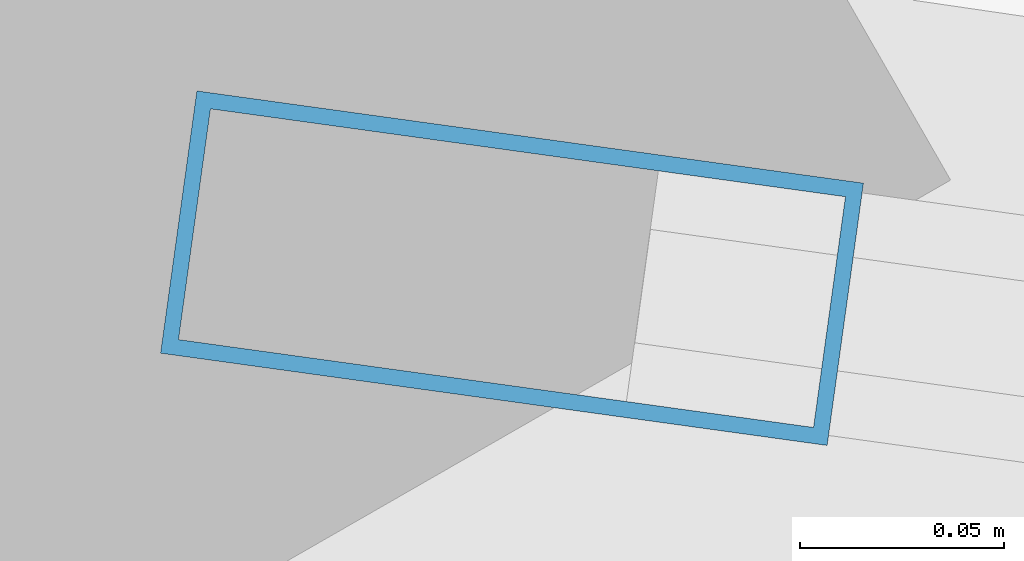
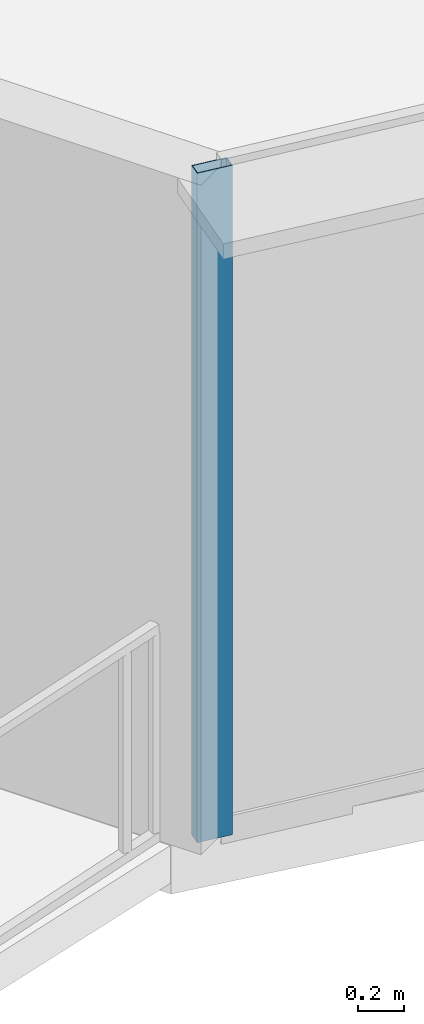
# One storey, part 2 of 36: 1 member, 1 element without a shape of its own.
"""IFC4 building model written with IfcOpenShell, lengths in metres."""

from ifc_helpers import new_model, si_unit, direction, frame, origin, origin_2d, place, context, subcontext, project, spatial, hollow_rectangle, extrude, source, transform, mapped, material, layer, layer_set, material_profile, profile_set, type_object, element, aggregate, save


model = new_model("IFC4")

# Units and contexts
model_context = context("Model", 3, precision=1e-05, world=origin(), true_north=direction((0.0, 1.0)))
body_context = subcontext(model_context, "Body", "Model", "MODEL_VIEW")
ifc_project = project(units=[si_unit("LENGTHUNIT", "METRE"), si_unit("AREAUNIT", "SQUARE_METRE"), si_unit("VOLUMEUNIT", "CUBIC_METRE"), si_unit("PLANEANGLEUNIT", "RADIAN"), si_unit("MASSUNIT", "GRAM", prefix="KILO"), si_unit("THERMODYNAMICTEMPERATUREUNIT", "KELVIN"), si_unit("POWERUNIT", "WATT")], contexts=[model_context])

# Site, building, storey
site_placement = place(None, origin())
site = spatial("IfcSite", under=ifc_project, at=site_placement, CompositionType="ELEMENT")
building_placement = place(site_placement, origin())
building = spatial("IfcBuilding", under=site, at=building_placement, Name="Yunzhuo Pagoda Commons", CompositionType="ELEMENT")
storey_placement = place(building_placement, frame((0.0, 0.0, 107.780029296875)))
storey = spatial("IfcBuildingStorey", under=building, at=storey_placement, Name="L27", CompositionType="ELEMENT", Elevation=107.780029296875)

# Curtain wall, member
ifc_material = material(Name="Anodized aluminium 6063-T6", Category="aluminium")
ifc_layer = layer(ifc_material, 0.1650390625)
ifc_layer_set = layer_set([ifc_layer], Name="Anodized aluminium 6063-T6")
curtain_wall_type = type_object("IfcCurtainWallType", Name="CW-LOW Low-Zone Ribbon Curtain Wall", PredefinedType="NOTDEFINED", material=ifc_layer_set)
curtain_wall_placement = place(storey_placement, origin())
curtain_wall = element("IfcCurtainWall", 1, at=curtain_wall_placement, inside=storey, type_object=curtain_wall_type, Name="L27 curtain wall CW-L27-F1B1", PredefinedType="NOTDEFINED")
ifc_material_profile = material_profile(ifc_material, hollow_rectangle(XDim=0.06494140625, YDim=0.1650390625, WallThickness=0.00390625, at=origin_2d()), Name="Anodized aluminium 6063-T6")
ifc_profile_set = profile_set([ifc_material_profile], Name="Anodized aluminium 6063-T6")
member_type = type_object("IfcMemberType", Name="CW-LOW-M Mullion RHS 165x65x4", PredefinedType="MULLION", material=ifc_profile_set)
shared_shape = source(origin(), body_context, "Body", "SweptSolid", [
    extrude(hollow_rectangle(XDim=0.06494140625, YDim=0.1650390625, WallThickness=0.00390625, at=origin_2d()), origin(), (0.0, 0.0, 1.0), 3.5400390625),
])
member_placement = place(storey_placement, frame((11.16943359375, 15.470947265625, 0.0), z_axis=(0.0, 0.0, 1.0), x_axis=(0.137082225692, 0.990559671801, 0.0)))
member = element("IfcMember", 2, at=member_placement, type_object=member_type, Name="CW mullion 1", PredefinedType="MULLION", context=body_context, shape_type="MappedRepresentation", body=[
    mapped(shared_shape, transform((0.0, 0.0, 0.0), scale=1.0)),
])
aggregate(curtain_wall, [member])

save(model, "model.ifc")
